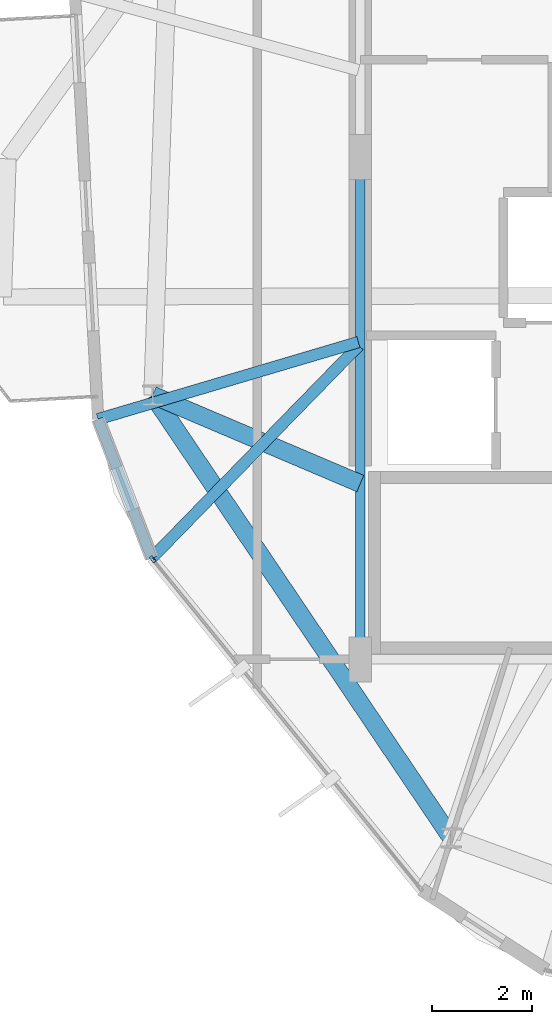
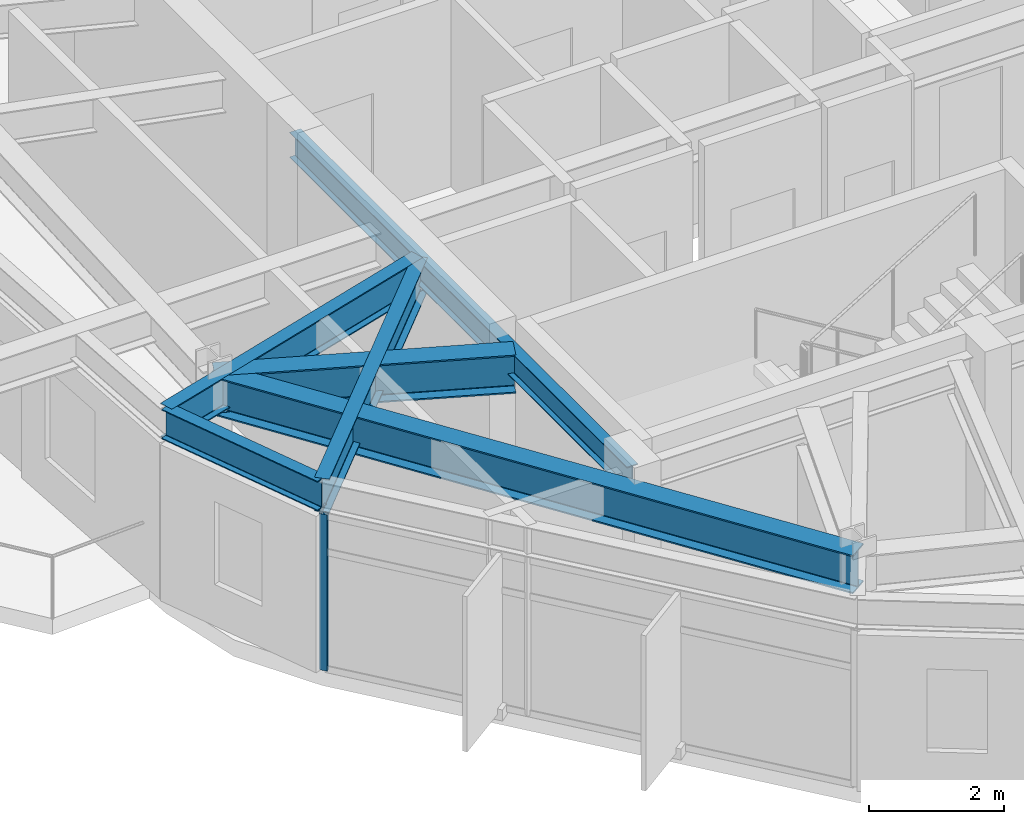
# One storey, part 3 of 26: 6 beams, 1 member, 1 element without a shape of its own.
"""IFC4 building model written with IfcOpenShell, lengths in metres."""

from ifc_helpers import new_model, si_unit, direction, frame, origin, origin_2d, place, context, subcontext, project, spatial, hollow_rectangle, i_section, extrude, material, layer, layer_set, material_profile, profile_set, type_object, element, aggregate, save


model = new_model("IFC4")

# Units and contexts
model_context = context("Model", 3, precision=1e-05, world=origin(), true_north=direction((0.0, 1.0)))
body_context = subcontext(model_context, "Body", "Model", "MODEL_VIEW")
ifc_project = project(units=[si_unit("LENGTHUNIT", "METRE"), si_unit("AREAUNIT", "SQUARE_METRE"), si_unit("VOLUMEUNIT", "CUBIC_METRE"), si_unit("PLANEANGLEUNIT", "RADIAN"), si_unit("MASSUNIT", "GRAM", prefix="KILO")], contexts=[model_context])

# Site, building, storey
site_placement = place(None, origin())
site = spatial("IfcSite", under=ifc_project, at=site_placement, CompositionType="ELEMENT")
building_placement = place(site_placement, origin())
building = spatial("IfcBuilding", under=site, at=building_placement, Name="Soratama Intermodal Tower", CompositionType="ELEMENT")
storey_placement = place(building_placement, frame((0.0, 0.0, 242.5)))
storey = spatial("IfcBuildingStorey", under=building, at=storey_placement, Name="L61", CompositionType="ELEMENT", Elevation=242.5)

# Beams
ifc_material_1 = material(Name="Structural steel ASTM A992 Grade 50", Category="steel")
ifc_material_profile_1 = material_profile(ifc_material_1, i_section(OverallWidth=0.19091796875, OverallDepth=0.4599609375, WebThickness=0.010009765625, FlangeThickness=0.01611328125, FilletRadius=0.010986328125, at=origin_2d()), Name="W18X55")
ifc_profile_set_1 = profile_set([ifc_material_profile_1], Name="Structural steel ASTM A992 Grade 50")
beam_type_1 = type_object("IfcBeamType", Name="BM-FLR-W18X55", PredefinedType="BEAM", material=ifc_profile_set_1)
beam_1_placement = place(storey_placement, frame((32.60009765625, 25.0, 3.219970703125), z_axis=(0.0, -1.0, 0.0), x_axis=(1.0, 0.0, 0.0)))
element("IfcBeam", 1, at=beam_1_placement, inside=storey, type_object=beam_type_1, Name="BM-L61-CRING-09", PredefinedType="BEAM", context=body_context, shape_type="SweptSolid", body=[
    extrude(i_section(OverallWidth=0.19091796875, OverallDepth=0.4599609375, WebThickness=0.010009765625, FlangeThickness=0.01611328125, FilletRadius=0.010986328125, at=origin_2d()), origin(), (0.0, 0.0, 1.0), 10.0),
])
ifc_material_2 = material(Name="Structural steel ASTM A992 Grade 50", Category="steel")
ifc_material_profile_2 = material_profile(ifc_material_2, i_section(OverallWidth=0.35498046875, OverallDepth=0.695068359375, WebThickness=0.015380859375, FlangeThickness=0.02490234375, FilletRadius=0.01611328125, at=origin_2d()), Name="W27X146")
ifc_profile_set_2 = profile_set([ifc_material_profile_2], Name="Structural steel ASTM A992 Grade 50")
beam_type_2 = type_object("IfcBeamType", Name="BM-RING-W27X146", PredefinedType="BEAM", material=ifc_profile_set_2)
beam_2_placement = place(storey_placement, frame((28.466064453125, 20.259033203125, 3.1025390625), z_axis=(0.559218025165, -0.829020627204, 0.0), x_axis=(0.829020627204, 0.559218025165, 0.0)))
element("IfcBeam", 2, at=beam_2_placement, inside=storey, type_object=beam_type_2, Name="BM-L61-RING-06", PredefinedType="BEAM", context=body_context, shape_type="SweptSolid", body=[
    extrude(i_section(OverallWidth=0.35498046875, OverallDepth=0.695068359375, WebThickness=0.015380859375, FlangeThickness=0.02490234375, FilletRadius=0.01611328125, at=origin_2d()), origin(), (0.0, 0.0, 1.0), 10.630615234375),
])
beam_3_placement = place(storey_placement, frame((32.60009765625, 18.5, 3.1025390625), z_axis=(-0.920165049547, 0.391530690485, 0.0), x_axis=(-0.391530690485, -0.920165049547, 0.0)))
element("IfcBeam", 3, at=beam_3_placement, inside=storey, type_object=beam_type_2, Name="BM-L61-RAD-06", PredefinedType="BEAM", context=body_context, shape_type="SweptSolid", body=[
    extrude(i_section(OverallWidth=0.35498046875, OverallDepth=0.695068359375, WebThickness=0.015380859375, FlangeThickness=0.02490234375, FilletRadius=0.01611328125, at=origin_2d()), origin(), (0.0, 0.0, 1.0), 4.49267578125),
])
ifc_material_3 = material(Name="Structural steel ASTM A992 Grade 50", Category="steel")
ifc_material_profile_3 = material_profile(ifc_material_3, i_section(OverallWidth=0.2099609375, OverallDepth=0.537109375, WebThickness=0.010986328125, FlangeThickness=0.017333984375, FilletRadius=0.012939453125, at=origin_2d()), Name="W21X68")
ifc_profile_set_3 = profile_set([ifc_material_profile_3], Name="Structural steel ASTM A992 Grade 50")
beam_type_3 = type_object("IfcBeamType", Name="BM-SPN-W21X68", PredefinedType="SPANDREL", material=ifc_profile_set_3)
beam_4_placement = place(storey_placement, frame((27.3779296875, 19.782958984375, 3.181396484375), z_axis=(0.36042369383, -0.932788701114, 0.0), x_axis=(0.932788701114, 0.36042369383, 0.0)))
element("IfcBeam", 4, at=beam_4_placement, inside=storey, type_object=beam_type_3, Name="BS-L61-CRN04", PredefinedType="SPANDREL", context=body_context, shape_type="SweptSolid", body=[
    extrude(i_section(OverallWidth=0.2099609375, OverallDepth=0.537109375, WebThickness=0.010986328125, FlangeThickness=0.017333984375, FilletRadius=0.012939453125, at=origin_2d()), origin(), (0.0, 0.0, 1.0), 2.96630859375),
])
ifc_material_4 = material(Name="Structural steel ASTM A992 Grade 50", Category="steel")
ifc_material_profile_4 = material_profile(ifc_material_4, i_section(OverallWidth=0.22900390625, OverallDepth=0.612060546875, WebThickness=0.011962890625, FlangeThickness=0.01953125, FilletRadius=0.012939453125, at=origin_2d()), Name="W24X84")
ifc_profile_set_4 = profile_set([ifc_material_profile_4], Name="Structural steel ASTM A992 Grade 50")
beam_type_4 = type_object("IfcBeamType", Name="BM-TIE-W24X84", PredefinedType="BEAM", material=ifc_profile_set_4)
beam_5_placement = place(storey_placement, frame((32.56201171875, 21.318115234375, 3.14404296875), z_axis=(-0.958841833736, -0.283940729515, 0.0), x_axis=(0.283940729515, -0.958841833736, 0.0)))
element("IfcBeam", 5, at=beam_5_placement, inside=storey, type_object=beam_type_4, Name="BM-L61-TIE1-04", PredefinedType="BEAM", context=body_context, shape_type="SweptSolid", body=[
    extrude(i_section(OverallWidth=0.22900390625, OverallDepth=0.612060546875, WebThickness=0.011962890625, FlangeThickness=0.01953125, FilletRadius=0.012939453125, at=origin_2d()), origin(), (0.0, 0.0, 1.0), 5.406494140625),
])
beam_6_placement = place(storey_placement, frame((32.572021484375, 21.25, 3.14404296875), z_axis=(-0.697836476721, -0.716257112884, 0.0), x_axis=(0.716257112884, -0.697836476721, 0.0)))
element("IfcBeam", 6, at=beam_6_placement, inside=storey, type_object=beam_type_4, Name="BM-L61-TIE0-05", PredefinedType="BEAM", context=body_context, shape_type="SweptSolid", body=[
    extrude(i_section(OverallWidth=0.22900390625, OverallDepth=0.612060546875, WebThickness=0.011962890625, FlangeThickness=0.01953125, FilletRadius=0.012939453125, at=origin_2d()), origin(), (0.0, 0.0, 1.0), 5.9111328125),
])

# Curtain wall, member
ifc_material_5 = material(Name="Double-glazed aluminium curtain wall", Category="aluminium")
ifc_layer = layer(ifc_material_5, 0.159912109375)
ifc_layer_set = layer_set([ifc_layer], Name="Double-glazed aluminium curtain wall")
curtain_wall_type = type_object("IfcCurtainWallType", Name="CW-SYS-5", PredefinedType="NOTDEFINED", material=ifc_layer_set)
curtain_wall_placement = place(storey_placement, origin())
curtain_wall = element("IfcCurtainWall", 7, at=curtain_wall_placement, inside=storey, type_object=curtain_wall_type, Name="L61 Faceted Curtain Wall F05", PredefinedType="NOTDEFINED")
ifc_material_6 = material(Name="Anodised aluminium AA 6063-T6", Category="aluminium")
ifc_material_profile_5 = material_profile(ifc_material_6, hollow_rectangle(XDim=0.06494140625, YDim=0.139892578125, WallThickness=0.0048828125, InnerFilletRadius=0.0048828125, OuterFilletRadius=0.010009765625, at=origin_2d()), Name="CWM140X65X5")
ifc_profile_set_5 = profile_set([ifc_material_profile_5], Name="Anodised aluminium AA 6063-T6")
member_type = type_object("IfcMemberType", Name="MT-CWM-5", PredefinedType="MULLION", material=ifc_profile_set_5)
member_placement = place(storey_placement, frame((28.4658203125, 16.99267578125, 0.0), z_axis=(0.0, 0.0, 1.0), x_axis=(0.775824220588, 0.630949109477, 0.0)))
member = element("IfcMember", 8, at=member_placement, type_object=member_type, Name="CW-5 mullion 1", PredefinedType="MULLION", context=body_context, shape_type="SweptSolid", body=[
    extrude(hollow_rectangle(XDim=0.06494140625, YDim=0.139892578125, WallThickness=0.0048828125, InnerFilletRadius=0.0048828125, OuterFilletRadius=0.010009765625, at=origin_2d()), origin(), (0.0, 0.0, 1.0), 2.8291015625),
])
aggregate(curtain_wall, [member])

save(model, "model.ifc")
